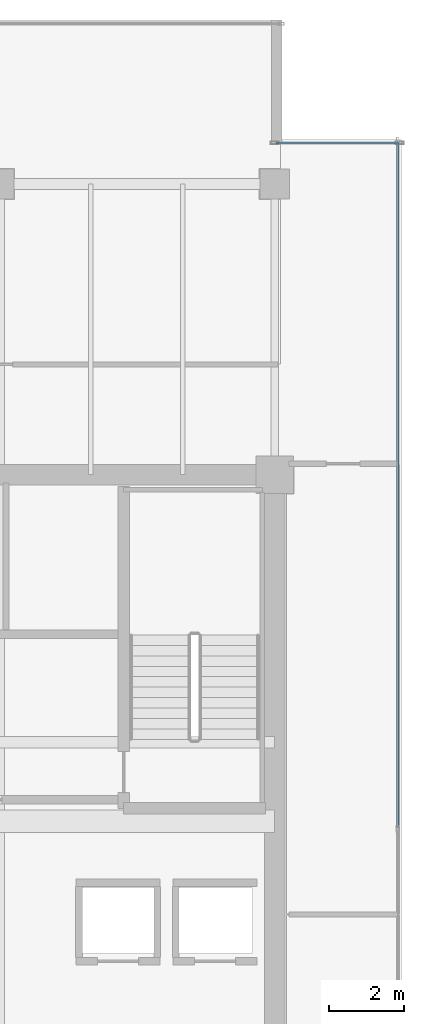
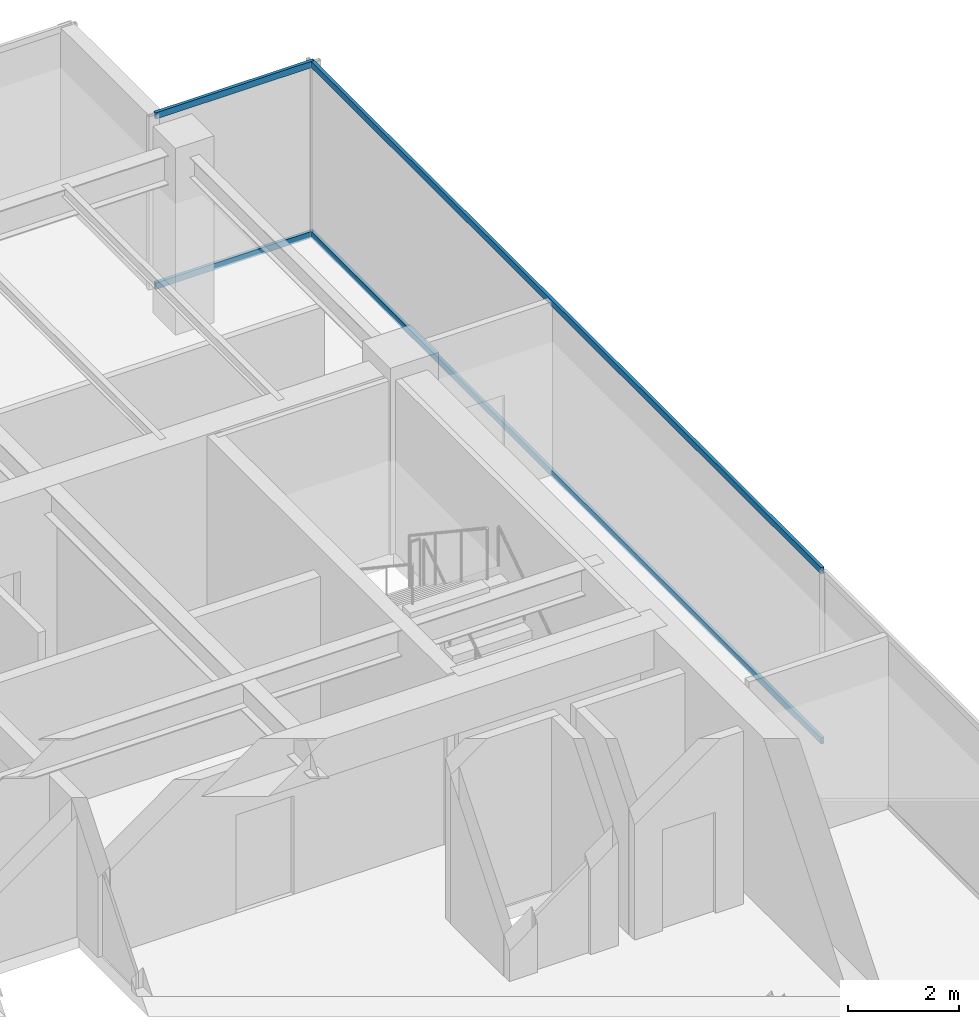
# One storey, part 25 of 36: 4 members, 2 elements without a shape of their own.
"""IFC4 building model written with IfcOpenShell, lengths in metres."""

import ifcopenshell
import ifcopenshell.guid

model = None  # the IFC model being written
_history = None  # IfcOwnerHistory: only IFC2X3 demands one
_inside = {}  # id of a spatial element -> (the spatial element, [elements in it])
_under = {}  # id of a project, library or spatial element -> (it, [spatial elements below it])
_declared = {}  # id of a project -> (the project, [libraries it declares])
_typed = {}  # id of a type object -> (the type object, [elements of that type])
_made_of = {}  # id of a material, layer set ... -> (it, [elements and type objects made of it])


def new_model(schema):
    """Start an empty IFC model of exactly this schema.

    Asked for "IFC4X3", IfcOpenShell would pick the latest addendum, in which some entities
    have other attributes; the version numbers below select the first issue.
    IFC2X3 requires an IfcOwnerHistory on every rooted entity: one is made here for all.
    """
    global model, _history
    if schema == "IFC4X3":
        model = ifcopenshell.file(schema_version=(4, 3, 0, 0))
    else:
        model = ifcopenshell.file(schema=schema)
    _inside.clear()
    _under.clear()
    _declared.clear()
    _typed.clear()
    _made_of.clear()
    _history = None
    if model.schema == "IFC2X3":
        org = make("IfcOrganization", Name="unknown")
        user = make(
            "IfcPersonAndOrganization",
            ThePerson=make("IfcPerson", FamilyName="unknown"),
            TheOrganization=org,
        )
        app = make(
            "IfcApplication",
            ApplicationDeveloper=org,
            Version="unknown",
            ApplicationFullName="unknown",
            ApplicationIdentifier="unknown",
        )
        _history = make(
            "IfcOwnerHistory",
            OwningUser=user,
            OwningApplication=app,
            ChangeAction="ADDED",
            CreationDate=0,
        )
    return model


def make(cls, **values):
    """One entity of the class cls with the attributes given. An attribute that is None is left unset."""
    return model.create_entity(
        cls, **{name: value for name, value in values.items() if value is not None}
    )


def rooted(cls, **values):
    """An entity with a GlobalId (a new one), such as an element, a storey or a relation."""
    return make(cls, GlobalId=ifcopenshell.guid.new(), OwnerHistory=_history, **values)


def si_unit(unit_type, name, prefix=None):
    """IfcSIUnit, for example si_unit("LENGTHUNIT", "METRE", prefix="MILLI")."""
    return make("IfcSIUnit", UnitType=unit_type, Prefix=prefix, Name=name)


def assignment(units):
    """IfcUnitAssignment: the units of a project."""
    return None if units is None else make("IfcUnitAssignment", Units=units)


def point(xyz):
    """IfcCartesianPoint."""
    return None if xyz is None else make("IfcCartesianPoint", Coordinates=xyz)


def direction(xyz):
    """IfcDirection."""
    return None if xyz is None else make("IfcDirection", DirectionRatios=xyz)


def frame(location, z_axis=None, x_axis=None):
    """IfcAxis2Placement3D, a coordinate frame: its origin and axes. An axis left out is left unset."""
    return make(
        "IfcAxis2Placement3D",
        Location=point(location),
        Axis=direction(z_axis),
        RefDirection=direction(x_axis),
    )


def frame_2d(location, x_axis=None):
    """IfcAxis2Placement2D, a coordinate frame in the plane: its origin and x axis."""
    return make(
        "IfcAxis2Placement2D", Location=point(location), RefDirection=direction(x_axis)
    )


def origin():
    """The frame at (0, 0, 0) with its axes left unset."""
    return frame((0.0, 0.0, 0.0))


def origin_2d():
    """The frame at (0, 0) in the plane with its x axis left unset."""
    return frame_2d((0.0, 0.0))


def place(relative_to, where):
    """IfcLocalPlacement: puts the frame where relative to a parent placement (None: the world)."""
    return make(
        "IfcLocalPlacement", PlacementRelTo=relative_to, RelativePlacement=where
    )


def context(
    kind, dimensions, precision=None, world=None, true_north=None, identifier=None
):
    """IfcGeometricRepresentationContext, for example the 3D "Model" context."""
    return make(
        "IfcGeometricRepresentationContext",
        ContextIdentifier=identifier,
        ContextType=kind,
        CoordinateSpaceDimension=dimensions,
        Precision=precision,
        WorldCoordinateSystem=world,
        TrueNorth=true_north,
    )


def subcontext(parent, identifier, kind, view, scale=None):
    """IfcGeometricRepresentationSubContext, for example "Body" below "Model"."""
    return make(
        "IfcGeometricRepresentationSubContext",
        ContextIdentifier=identifier,
        ContextType=kind,
        ParentContext=parent,
        TargetScale=scale,
        TargetView=view,
    )


def project(units=None, contexts=None):
    """IfcProject with its units and contexts."""
    return rooted(
        "IfcProject",
        Name="project",
        RepresentationContexts=contexts,
        UnitsInContext=assignment(units),
    )


def spatial(cls, under=None, at=None, **own):
    """A site, building, storey or space (cls), placed at a placement, below another one or the project."""
    s = rooted(cls, ObjectPlacement=at, **own)
    if under is not None:
        _under.setdefault(under.id(), (under, []))[1].append(s)
    return s


def profile(cls, at=None, kind="AREA", **sizes):
    """A parametric profile (cls). Its sizes go by their IFC names, for example OverallWidth=200.0."""
    return make(cls, ProfileType=kind, Position=at, **sizes)


def hollow_rectangle(**sizes):
    """IfcRectangleHollowProfileDef."""
    return profile("IfcRectangleHollowProfileDef", **sizes)


def extrude(swept, where, along, depth):
    """IfcExtrudedAreaSolid: the profile swept, set in the frame where, extruded along a direction by depth."""
    return make(
        "IfcExtrudedAreaSolid",
        SweptArea=swept,
        Position=where,
        ExtrudedDirection=direction(along),
        Depth=depth,
    )


def shape(context_of_items, identifier, shape_type, items):
    """IfcShapeRepresentation: the items that make up one representation, for example the "Body"."""
    return make(
        "IfcShapeRepresentation",
        ContextOfItems=context_of_items,
        RepresentationIdentifier=identifier,
        RepresentationType=shape_type,
        Items=items,
    )


def source(mapping_origin, context_of_items, identifier, shape_type, items):
    """IfcRepresentationMap: a shape defined once, which mapped items show again and again."""
    return make(
        "IfcRepresentationMap",
        MappingOrigin=mapping_origin,
        MappedRepresentation=shape(context_of_items, identifier, shape_type, items),
    )


def transform(
    local_origin,
    x_axis=None,
    y_axis=None,
    z_axis=None,
    scale=None,
    scale2=None,
    scale3=None,
    uniform=True,
):
    """IfcCartesianTransformationOperator3D, or its non-uniform kind. x_axis, y_axis, z_axis: its Axis1, 2, 3."""
    if uniform:
        return make(
            "IfcCartesianTransformationOperator3D",
            Axis1=direction(x_axis),
            Axis2=direction(y_axis),
            LocalOrigin=point(local_origin),
            Scale=scale,
            Axis3=direction(z_axis),
        )
    return make(
        "IfcCartesianTransformationOperator3DnonUniform",
        Axis1=direction(x_axis),
        Axis2=direction(y_axis),
        LocalOrigin=point(local_origin),
        Scale=scale,
        Axis3=direction(z_axis),
        Scale2=scale2,
        Scale3=scale3,
    )


def mapped(mapping_source, mapping_target):
    """IfcMappedItem: shows the shape of a source again, moved by a transform."""
    return make(
        "IfcMappedItem", MappingSource=mapping_source, MappingTarget=mapping_target
    )


def material(Name=None, Category=None):
    """IfcMaterial."""
    return make("IfcMaterial", Name=Name, Category=Category)


def layer(
    of_material, thickness, ventilated=None, Name=None, Category=None, Priority=None
):
    """IfcMaterialLayer: one layer of a wall or slab, of a material (None: an air gap)."""
    return make(
        "IfcMaterialLayer",
        Material=of_material,
        LayerThickness=thickness,
        IsVentilated=ventilated,
        Name=Name,
        Category=Category,
        Priority=Priority,
    )


def layer_set(layers, Name=None):
    """IfcMaterialLayerSet."""
    return make("IfcMaterialLayerSet", MaterialLayers=layers, LayerSetName=Name)


def material_profile(
    of_material, cross_section, Name=None, Category=None, Priority=None
):
    """IfcMaterialProfile: a cross section and its material."""
    return make(
        "IfcMaterialProfile",
        Name=Name,
        Material=of_material,
        Profile=cross_section,
        Priority=Priority,
        Category=Category,
    )


def profile_set(profiles, Name=None, composite=None):
    """IfcMaterialProfileSet."""
    return make(
        "IfcMaterialProfileSet",
        Name=Name,
        MaterialProfiles=profiles,
        CompositeProfile=composite,
    )


def made_of(thing, what):
    """Note that an element or type object is made of a material, layer set ...; save() writes the relation."""
    if what is not None:
        _made_of.setdefault(what.id(), (what, []))[1].append(thing)
    return thing


def type_object(cls, material=None, **own):
    """A type object (cls), such as IfcWallType, which elements share."""
    return made_of(rooted(cls, **own), material)


def type_shapes(of_type, sources):
    """Give a type object the sources (RepresentationMaps) that its elements show as mapped items."""
    of_type.RepresentationMaps = sources


def element(
    cls,
    number,
    at=None,
    inside=None,
    cuts=None,
    type_object=None,
    material=None,
    context=None,
    identifier="Body",
    shape_type=None,
    held_by="IfcProductDefinitionShape",
    body=None,
    shapes=None,
    **own,
):
    """One element of the class cls, such as IfcWall. Its Tag is "e" and its number.

    at: its placement. inside: the storey or other place that contains it. cuts: it is an
    opening in that element (IfcRelVoidsElement). A single representation is given by context,
    identifier, shape_type and body (its items); several are given by shapes. held_by: the class
    of the entity that holds the representations. save() writes the other relations.
    """
    e = rooted(cls, Tag="e%d" % number, ObjectPlacement=at, **own)
    if body is not None:
        shapes = [shape(context, identifier, shape_type, body)]
    if shapes is not None:
        e.Representation = make(held_by, Representations=shapes)
    if inside is not None:
        _inside.setdefault(inside.id(), (inside, []))[1].append(e)
    if cuts is not None:
        rooted(
            "IfcRelVoidsElement", RelatingBuildingElement=cuts, RelatedOpeningElement=e
        )
    if type_object is not None:
        _typed.setdefault(type_object.id(), (type_object, []))[1].append(e)
    return made_of(e, material)


def aggregate(whole, parts):
    """IfcRelAggregates: a whole, such as a stair, and the parts it consists of."""
    return rooted("IfcRelAggregates", RelatingObject=whole, RelatedObjects=parts)


def save(model, path):
    """Write the relations noted so far, then the file.

    IfcRelAggregates (storeys below a building ...), IfcRelContainedInSpatialStructure (elements
    in a storey), IfcRelDefinesByType, IfcRelAssociatesMaterial and IfcRelDeclares: one each for
    every whole, place, type object, material and project.
    """
    for whole, parts in _under.values():
        aggregate(whole, parts)
    for where, things in _inside.values():
        rooted(
            "IfcRelContainedInSpatialStructure",
            RelatedElements=things,
            RelatingStructure=where,
        )
    for kind, things in _typed.values():
        rooted("IfcRelDefinesByType", RelatedObjects=things, RelatingType=kind)
    for what, things in _made_of.values():
        rooted("IfcRelAssociatesMaterial", RelatedObjects=things, RelatingMaterial=what)
    for by, libraries in _declared.values():
        rooted("IfcRelDeclares", RelatingContext=by, RelatedDefinitions=libraries)
    model.write(path)


model = new_model("IFC4")

# Units and contexts
model_context = context("Model", 3, precision=1e-05, world=origin(), true_north=direction((0.0, 1.0)))
body_context = subcontext(model_context, "Body", "Model", "MODEL_VIEW")
ifc_project = project(units=[si_unit("LENGTHUNIT", "METRE"), si_unit("AREAUNIT", "SQUARE_METRE"), si_unit("VOLUMEUNIT", "CUBIC_METRE"), si_unit("PLANEANGLEUNIT", "RADIAN"), si_unit("MASSUNIT", "GRAM", prefix="KILO")], contexts=[model_context])

# Site, building, storey
site_placement = place(None, origin())
site = spatial("IfcSite", under=ifc_project, at=site_placement, CompositionType="ELEMENT")
building_placement = place(site_placement, origin())
building = spatial("IfcBuilding", under=site, at=building_placement, Name="Haelvirn Gate Laboratories", CompositionType="ELEMENT")
storey_placement = place(building_placement, frame((0.0, 0.0, 262.89990234375)))
storey = spatial("IfcBuildingStorey", under=building, at=storey_placement, Name="L63", CompositionType="ELEMENT", Elevation=262.89990234375)

# Curtain wall, members
ifc_material_1 = material(Name="Anodised bronze unitised aluminium & triple low-E glass", Category="aluminium")
ifc_layer_1 = layer(ifc_material_1, 0.181884765625, Name="CW-SYS-5")
ifc_layer_set_1 = layer_set([ifc_layer_1], Name="Anodised bronze unitised aluminium & triple low-E glass")
curtain_wall_type_1 = type_object("IfcCurtainWallType", Name="CW-SYS-5", PredefinedType="NOTDEFINED", material=ifc_layer_set_1)
curtain_wall_1_placement = place(storey_placement, origin())
curtain_wall_1 = element("IfcCurtainWall", 1, at=curtain_wall_1_placement, inside=storey, type_object=curtain_wall_type_1, Name="L63 Unitised Curtain Wall CW-L63-P0-E08-1", PredefinedType="NOTDEFINED")
ifc_material_2 = material(Name="Extruded aluminium 6063-T6 (anodised bronze)", Category="aluminium")
ifc_material_profile = material_profile(ifc_material_2, hollow_rectangle(XDim=0.06494140625, YDim=0.139892578125, WallThickness=0.00390625, at=origin_2d()), Name="CWT-140x65x4")
ifc_profile_set = profile_set([ifc_material_profile], Name="Extruded aluminium 6063-T6 (anodised bronze)")
member_type = type_object("IfcMemberType", Name="CWT-T140", PredefinedType="USERDEFINED", material=ifc_profile_set)
shared_shape_1 = source(origin(), body_context, "Body", "SweptSolid", [
    extrude(hollow_rectangle(XDim=0.06494140625, YDim=0.139892578125, WallThickness=0.00390625, at=origin_2d()), origin(), (0.0, 0.0, 1.0), 3.280029296875),
])
member_1_placement = place(storey_placement, frame((67.43994140625, 42.699951171875, 0.03271484375), z_axis=(1.0, 0.0, 0.0), x_axis=(0.0, 1.0, 0.0)))
member_1 = element("IfcMember", 2, at=member_1_placement, type_object=member_type, Name="CW5 transom 1.1", ObjectType="TRANSOM", PredefinedType="USERDEFINED", context=body_context, shape_type="MappedRepresentation", body=[
    mapped(shared_shape_1, transform((0.0, 0.0, 0.0), scale=1.0)),
])
member_2_placement = place(storey_placement, frame((67.43994140625, 42.699951171875, 3.767578125), z_axis=(1.0, 0.0, 0.0), x_axis=(0.0, 1.0, 0.0)))
member_2 = element("IfcMember", 3, at=member_2_placement, type_object=member_type, Name="CW5 transom 1.2", ObjectType="TRANSOM", PredefinedType="USERDEFINED", context=body_context, shape_type="MappedRepresentation", body=[
    mapped(shared_shape_1, transform((0.0, 0.0, 0.0), scale=1.0)),
])
aggregate(curtain_wall_1, [member_1, member_2])

ifc_layer_2 = layer(ifc_material_1, 0.176025390625, Name="CW-SYS-4")
ifc_layer_set_2 = layer_set([ifc_layer_2], Name="Anodised bronze unitised aluminium & triple low-E glass")
curtain_wall_type_2 = type_object("IfcCurtainWallType", Name="CW-SYS-4", PredefinedType="NOTDEFINED", material=ifc_layer_set_2)
curtain_wall_2_placement = place(storey_placement, origin())
curtain_wall_2 = element("IfcCurtainWall", 4, at=curtain_wall_2_placement, inside=storey, type_object=curtain_wall_type_2, Name="L63 Unitised Curtain Wall CW-L63-P0-E07", PredefinedType="NOTDEFINED")
shared_shape_2 = source(origin(), body_context, "Body", "SweptSolid", [
    extrude(hollow_rectangle(XDim=0.06494140625, YDim=0.139892578125, WallThickness=0.00390625, at=origin_2d()), origin(), (0.0, 0.0, 1.0), 18.39501953125),
])
type_shapes(member_type, [shared_shape_1, shared_shape_2])
member_3_placement = place(storey_placement, frame((70.699951171875, 24.3349609375, 0.03271484375), z_axis=(0.0, 1.0, 0.0), x_axis=(-1.0, 0.0, 0.0)))
member_3 = element("IfcMember", 5, at=member_3_placement, type_object=member_type, Name="CW4 transom 2.1", ObjectType="TRANSOM", PredefinedType="USERDEFINED", context=body_context, shape_type="MappedRepresentation", body=[
    mapped(shared_shape_2, transform((0.0, 0.0, 0.0), scale=1.0)),
])
member_4_placement = place(storey_placement, frame((70.699951171875, 24.3349609375, 3.767578125), z_axis=(0.0, 1.0, 0.0), x_axis=(-1.0, 0.0, 0.0)))
member_4 = element("IfcMember", 6, at=member_4_placement, type_object=member_type, Name="CW4 transom 2.2", ObjectType="TRANSOM", PredefinedType="USERDEFINED", context=body_context, shape_type="MappedRepresentation", body=[
    mapped(shared_shape_2, transform((0.0, 0.0, 0.0), scale=1.0)),
])
aggregate(curtain_wall_2, [member_3, member_4])

save(model, "model.ifc")
